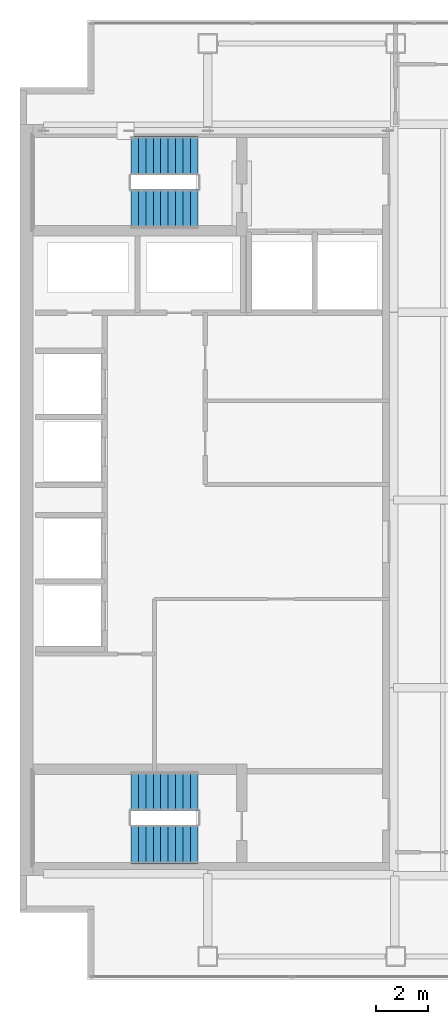
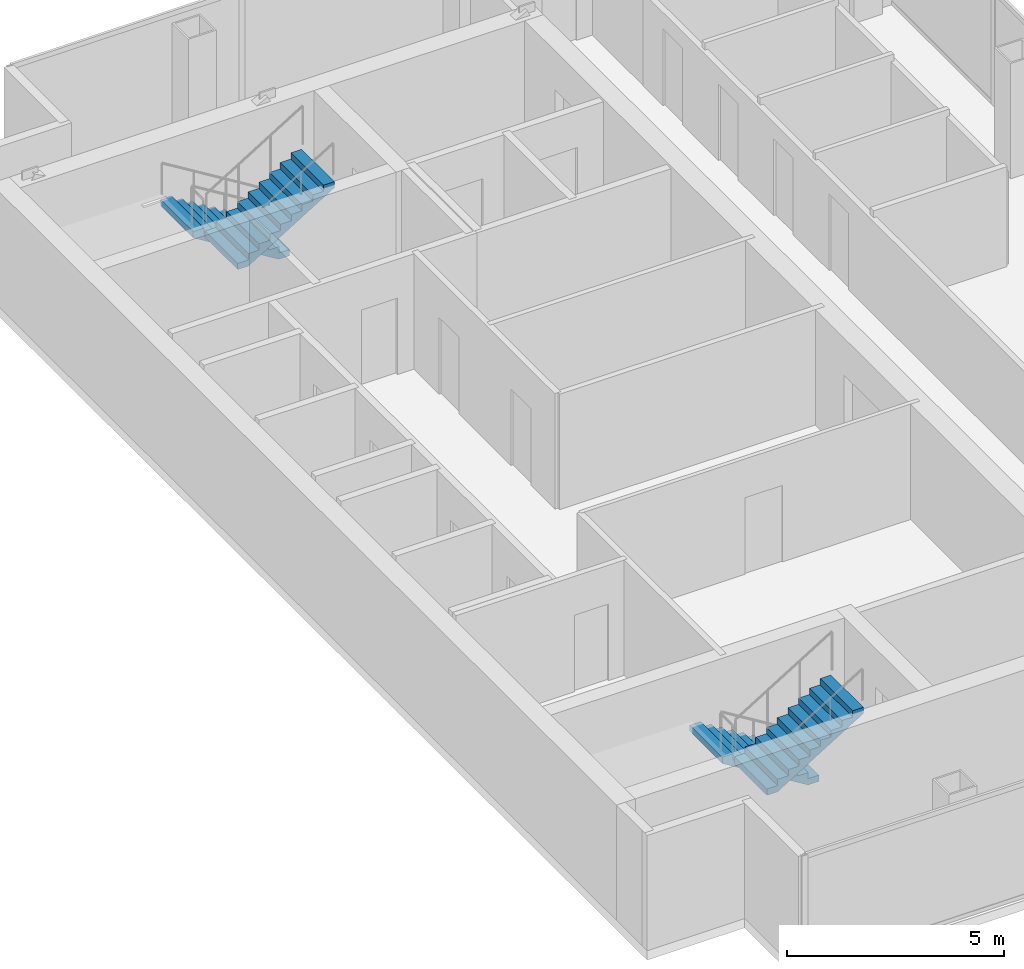
# One storey, part 22 of 23: 4 stair flights, 2 elements without a shape of their own.
"""IFC4 building model written with IfcOpenShell, lengths in metres."""

from ifc_helpers import new_model, si_unit, direction, frame, origin, place, context, subcontext, project, spatial, polyline, outline, extrude, material, type_object, element, aggregate, save


model = new_model("IFC4")

# Units and contexts
model_context = context("Model", 3, precision=1e-05, world=origin(), true_north=direction((0.0, 1.0)))
body_context = subcontext(model_context, "Body", "Model", "MODEL_VIEW")
ifc_project = project(units=[si_unit("LENGTHUNIT", "METRE"), si_unit("AREAUNIT", "SQUARE_METRE"), si_unit("VOLUMEUNIT", "CUBIC_METRE"), si_unit("PLANEANGLEUNIT", "RADIAN"), si_unit("MASSUNIT", "GRAM", prefix="KILO")], contexts=[model_context])

# Site, building, storey
site_placement = place(None, origin())
site = spatial("IfcSite", under=ifc_project, at=site_placement, CompositionType="ELEMENT")
building_placement = place(site_placement, origin())
building = spatial("IfcBuilding", under=site, at=building_placement, Name="Cobrela Telecom Tower", CompositionType="ELEMENT")
storey_placement = place(building_placement, frame((0.0, 0.0, 201.25)))
storey = spatial("IfcBuildingStorey", under=building, at=storey_placement, Name="L51", CompositionType="ELEMENT", Elevation=201.25)

# Stair, stair flights
ifc_material = material(Name="Concrete C40/50", Category="concrete")
stair_type = type_object("IfcStairType", Name="STAIR-CORE", PredefinedType="HALF_TURN_STAIR", material=ifc_material)
stair_1_placement = place(storey_placement, origin())
stair_1 = element("IfcStair", 1, at=stair_1_placement, inside=storey, type_object=stair_type, Name="L51 Smokeproof Exit Stair ST1", PredefinedType="HALF_TURN_STAIR")
stair_flight_type = type_object("IfcStairFlightType", Name="FLIGHT-CORE", PredefinedType="STRAIGHT", material=ifc_material)
stair_flight_1_placement = place(storey_placement, frame((6.820068359375, 34.800048828125, 0.0), z_axis=(0.0, 0.0, 1.0), x_axis=(-1.0, 0.0, 0.0)))
stair_flight_1 = element("IfcStairFlight", 2, at=stair_flight_1_placement, type_object=stair_flight_type, Name="ST1 flight 1", NumberOfRisers=10, NumberOfTreads=9, PredefinedType="STRAIGHT", RiserHeight=0.175, TreadLength=0.285, context=body_context, shape_type="SweptSolid", body=[
    extrude(outline(polyline([(0.0, 0.0), (0.0, 0.175048828125), (0.284912109375, 0.175048828125), (0.284912109375, 0.35009765625), (0.570068359375, 0.35009765625), (0.570068359375, 0.52490234375), (0.85498046875, 0.52490234375), (0.85498046875, 0.699951171875), (1.139892578125, 0.699951171875), (1.139892578125, 0.875), (1.425048828125, 0.875), (1.425048828125, 1.050048828125), (1.7099609375, 1.050048828125), (1.7099609375, 1.22509765625), (1.9951171875, 1.22509765625), (1.9951171875, 1.39990234375), (2.280029296875, 1.39990234375), (2.280029296875, 1.574951171875), (2.56494140625, 1.574951171875), (2.56494140625, 1.75), (2.56494140625, 1.399169921875), (0.286376953125, 0.0), (0.0, 0.0)])), frame((0.0, 0.75, 0.0), z_axis=(0.0, -1.0, 0.0), x_axis=(1.0, 0.0, 0.0)), (0.0, 0.0, 1.0), 1.5),
])
stair_flight_2_placement = place(storey_placement, frame((4.2548828125, 32.75, 1.75), z_axis=(0.0, 0.0, 1.0), x_axis=(1.0, 0.0, 0.0)))
stair_flight_2 = element("IfcStairFlight", 3, at=stair_flight_2_placement, type_object=stair_flight_type, Name="ST1 flight 2", NumberOfRisers=10, NumberOfTreads=9, PredefinedType="STRAIGHT", RiserHeight=0.175, TreadLength=0.285, context=body_context, shape_type="SweptSolid", body=[
    extrude(outline(polyline([(0.0, 0.0), (0.0, 0.175048828125), (0.284912109375, 0.175048828125), (0.284912109375, 0.35009765625), (0.570068359375, 0.35009765625), (0.570068359375, 0.52490234375), (0.85498046875, 0.52490234375), (0.85498046875, 0.699951171875), (1.139892578125, 0.699951171875), (1.139892578125, 0.875), (1.425048828125, 0.875), (1.425048828125, 1.050048828125), (1.7099609375, 1.050048828125), (1.7099609375, 1.22509765625), (1.9951171875, 1.22509765625), (1.9951171875, 1.39990234375), (2.280029296875, 1.39990234375), (2.280029296875, 1.574951171875), (2.56494140625, 1.574951171875), (2.56494140625, 1.75), (2.56494140625, 1.399169921875), (0.286376953125, 0.0), (0.0, 0.0)])), frame((0.0, 0.75, 0.0), z_axis=(0.0, -1.0, 0.0), x_axis=(1.0, 0.0, 0.0)), (0.0, 0.0, 1.0), 1.5),
])
aggregate(stair_1, [stair_flight_1, stair_flight_2])

stair_2_placement = place(storey_placement, origin())
stair_2 = element("IfcStair", 4, at=stair_2_placement, inside=storey, type_object=stair_type, Name="L51 Smokeproof Exit Stair ST2", PredefinedType="HALF_TURN_STAIR")
stair_flight_3_placement = place(storey_placement, frame((6.820068359375, 10.449951171875, 0.0), z_axis=(0.0, 0.0, 1.0), x_axis=(-1.0, 0.0, 0.0)))
stair_flight_3 = element("IfcStairFlight", 5, at=stair_flight_3_placement, type_object=stair_flight_type, Name="ST2 flight 1", NumberOfRisers=10, NumberOfTreads=9, PredefinedType="STRAIGHT", RiserHeight=0.175, TreadLength=0.285, context=body_context, shape_type="SweptSolid", body=[
    extrude(outline(polyline([(0.0, 0.0), (0.0, 0.175048828125), (0.284912109375, 0.175048828125), (0.284912109375, 0.35009765625), (0.570068359375, 0.35009765625), (0.570068359375, 0.52490234375), (0.85498046875, 0.52490234375), (0.85498046875, 0.699951171875), (1.139892578125, 0.699951171875), (1.139892578125, 0.875), (1.425048828125, 0.875), (1.425048828125, 1.050048828125), (1.7099609375, 1.050048828125), (1.7099609375, 1.22509765625), (1.9951171875, 1.22509765625), (1.9951171875, 1.39990234375), (2.280029296875, 1.39990234375), (2.280029296875, 1.574951171875), (2.56494140625, 1.574951171875), (2.56494140625, 1.75), (2.56494140625, 1.399169921875), (0.286376953125, 0.0), (0.0, 0.0)])), frame((0.0, 0.75, 0.0), z_axis=(0.0, -1.0, 0.0), x_axis=(1.0, 0.0, 0.0)), (0.0, 0.0, 1.0), 1.5),
])
stair_flight_4_placement = place(storey_placement, frame((4.2548828125, 8.39990234375, 1.75), z_axis=(0.0, 0.0, 1.0), x_axis=(1.0, 0.0, 0.0)))
stair_flight_4 = element("IfcStairFlight", 6, at=stair_flight_4_placement, type_object=stair_flight_type, Name="ST2 flight 2", NumberOfRisers=10, NumberOfTreads=9, PredefinedType="STRAIGHT", RiserHeight=0.175, TreadLength=0.285, context=body_context, shape_type="SweptSolid", body=[
    extrude(outline(polyline([(0.0, 0.0), (0.0, 0.175048828125), (0.284912109375, 0.175048828125), (0.284912109375, 0.35009765625), (0.570068359375, 0.35009765625), (0.570068359375, 0.52490234375), (0.85498046875, 0.52490234375), (0.85498046875, 0.699951171875), (1.139892578125, 0.699951171875), (1.139892578125, 0.875), (1.425048828125, 0.875), (1.425048828125, 1.050048828125), (1.7099609375, 1.050048828125), (1.7099609375, 1.22509765625), (1.9951171875, 1.22509765625), (1.9951171875, 1.39990234375), (2.280029296875, 1.39990234375), (2.280029296875, 1.574951171875), (2.56494140625, 1.574951171875), (2.56494140625, 1.75), (2.56494140625, 1.399169921875), (0.286376953125, 0.0), (0.0, 0.0)])), frame((0.0, 0.75, 0.0), z_axis=(0.0, -1.0, 0.0), x_axis=(1.0, 0.0, 0.0)), (0.0, 0.0, 1.0), 1.5),
])
aggregate(stair_2, [stair_flight_3, stair_flight_4])

save(model, "model.ifc")
